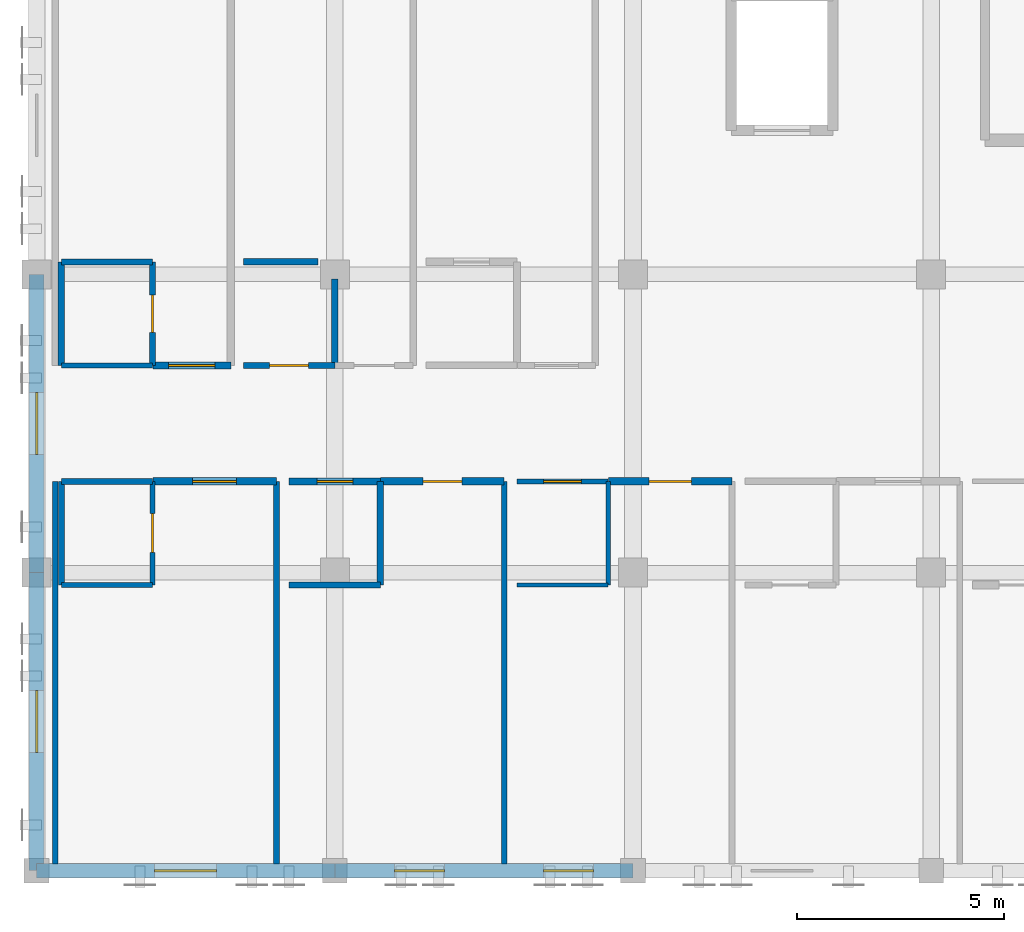
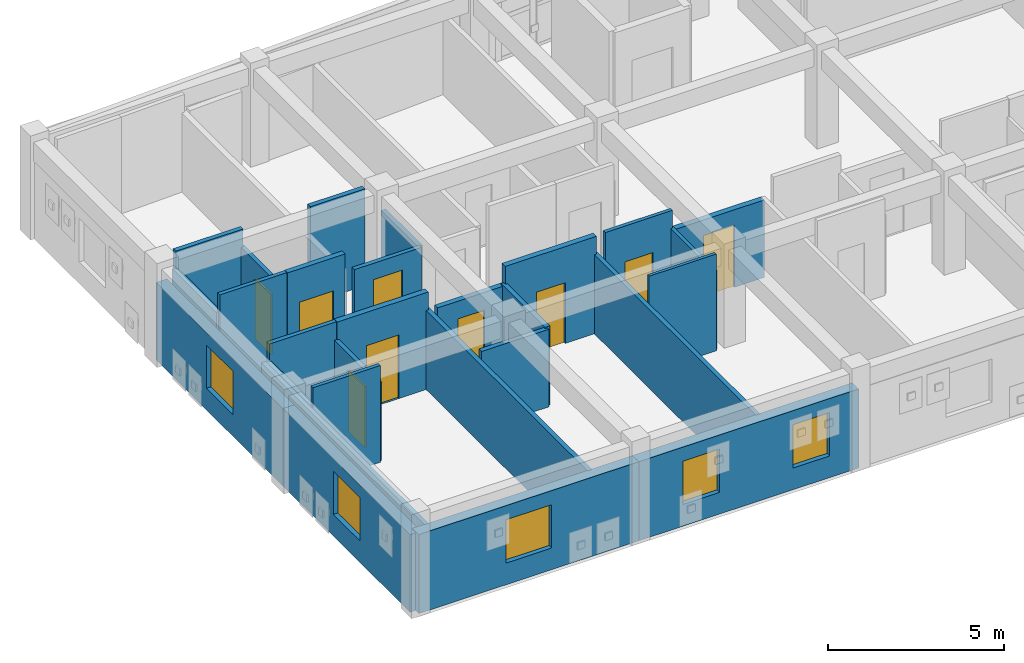
# One storey, part 35 of 48: 28 walls, 9 doors, 5 windows, 14 openings.
"""IFC4 building model written with IfcOpenShell, lengths in metres."""

from ifc_helpers import new_model, si_unit, direction, frame, frame_2d, origin, place, context, subcontext, project, spatial, rectangle, extrude, material, layer, layer_set, type_object, element, fill, save


model = new_model("IFC4")

# Units and contexts
model_context = context("Model", 3, precision=1e-05, world=origin(), true_north=direction((0.0, 1.0)))
body_context = subcontext(model_context, "Body", "Model", "MODEL_VIEW")
ifc_project = project(units=[si_unit("LENGTHUNIT", "METRE"), si_unit("AREAUNIT", "SQUARE_METRE"), si_unit("VOLUMEUNIT", "CUBIC_METRE"), si_unit("PLANEANGLEUNIT", "RADIAN"), si_unit("MASSUNIT", "GRAM", prefix="KILO")], contexts=[model_context])

# Site, building, storey
site_placement = place(None, origin())
site = spatial("IfcSite", under=ifc_project, at=site_placement, CompositionType="ELEMENT")
building_placement = place(site_placement, origin())
building = spatial("IfcBuilding", under=site, at=building_placement, Name="Carrowvane Square Congress Hotel", CompositionType="ELEMENT")
storey_placement = place(building_placement, frame((0.0, 0.0, 26.39990234375)))
storey = spatial("IfcBuildingStorey", under=building, at=storey_placement, Name="L06", CompositionType="ELEMENT", Elevation=26.39990234375)

# Wall, openings, windows
ifc_material_1 = material(Name="Glazed terracotta rainscreen", Category="masonry")
ifc_layer_1 = layer(ifc_material_1, 0.360107421875)
ifc_layer_set_1 = layer_set([ifc_layer_1], Name="Glazed terracotta rainscreen")
wall_type_1 = type_object("IfcWallType", Name="WL-EXT-TC360", PredefinedType="STANDARD", material=ifc_layer_set_1)
wall_1_placement = place(storey_placement, frame((47.60009765625, 91.800048828125, 0.0), z_axis=(0.0, 0.0, 1.0), x_axis=(-1.0, 0.0, 0.0)))
wall_1 = element("IfcWall", 1, at=wall_1_placement, inside=storey, type_object=wall_type_1, Name="L06 exterior facade wall 502", PredefinedType="STANDARD", context=body_context, shape_type="SweptSolid", body=[
    extrude(rectangle(XDim=7.2001953125, YDim=0.360107421875, at=frame_2d((3.60009765625, 0.0))), origin(), (0.0, 0.0, 1.0), 2.735107421875),
])
opening_1_placement = place(wall_1_placement, frame((0.955078125, 0.0, 0.75)))
opening_1 = element("IfcOpeningElement", 2, at=opening_1_placement, cuts=wall_1, Name="Opening W-01", PredefinedType="OPENING", context=body_context, shape_type="SweptSolid", body=[
    extrude(rectangle(XDim=1.199951171875, YDim=1.5, at=frame_2d((0.60009765625, 0.75))), frame((0.0, 0.18994140625, 0.0), z_axis=(0.0, -1.0, 0.0), x_axis=(1.0, 0.0, 0.0)), (0.0, 0.0, 1.0), 0.380126953125),
])
opening_2_placement = place(wall_1_placement, frame((4.554931640625, 0.0, 0.75)))
opening_2 = element("IfcOpeningElement", 3, at=opening_2_placement, cuts=wall_1, Name="Opening W-01", PredefinedType="OPENING", context=body_context, shape_type="SweptSolid", body=[
    extrude(rectangle(XDim=1.199951171875, YDim=1.5, at=frame_2d((0.60009765625, 0.75))), frame((0.0, 0.18994140625, 0.0), z_axis=(0.0, -1.0, 0.0), x_axis=(1.0, 0.0, 0.0)), (0.0, 0.0, 1.0), 0.380126953125),
])
ifc_material_2 = material(Name="Double-glazed low-E glass", Category="glass")
window_type_1 = type_object("IfcWindowType", Name="WIN-01", PartitioningType="SINGLE_PANEL", PredefinedType="WINDOW", material=ifc_material_2)
window_1_placement = place(opening_1_placement, origin())
window_1 = element("IfcWindow", 4, at=window_1_placement, inside=storey, type_object=window_type_1, Name="L06 facade window 338", OverallHeight=1.5, OverallWidth=1.199951171875, PartitioningType="SINGLE_PANEL", PredefinedType="WINDOW", context=body_context, shape_type="SweptSolid", body=[
    extrude(rectangle(XDim=1.199951171875, YDim=1.5, at=frame_2d((0.60009765625, 0.75))), frame((0.0, 0.030029296875, 0.0), z_axis=(0.0, -1.0, 0.0), x_axis=(1.0, 0.0, 0.0)), (0.0, 0.0, 1.0), 0.06005859375),
])
fill(opening_1, window_1)
window_2_placement = place(opening_2_placement, origin())
window_2 = element("IfcWindow", 5, at=window_2_placement, inside=storey, type_object=window_type_1, Name="L06 split-bay facade window WIN-L06-0338-1", OverallHeight=1.5, OverallWidth=1.199951171875, PartitioningType="SINGLE_PANEL", PredefinedType="WINDOW", context=body_context, shape_type="SweptSolid", body=[
    extrude(rectangle(XDim=1.199951171875, YDim=1.5, at=frame_2d((0.60009765625, 0.75))), frame((0.0, 0.030029296875, 0.0), z_axis=(0.0, -1.0, 0.0), x_axis=(1.0, 0.0, 0.0)), (0.0, 0.0, 1.0), 0.06005859375),
])
fill(opening_2, window_2)

# Wall, opening, window
wall_2_placement = place(storey_placement, frame((40.39990234375, 91.800048828125, 0.0), z_axis=(0.0, 0.0, 1.0), x_axis=(-1.0, 0.0, 0.0)))
wall_2 = element("IfcWall", 6, at=wall_2_placement, inside=storey, type_object=wall_type_1, Name="L06 exterior facade wall 503", PredefinedType="STANDARD", context=body_context, shape_type="SweptSolid", body=[
    extrude(rectangle(XDim=7.199951171875, YDim=0.360107421875, at=frame_2d((3.60009765625, 0.0))), origin(), (0.0, 0.0, 1.0), 2.735107421875),
])
opening_3_placement = place(wall_2_placement, frame((2.85009765625, 0.0, 0.75)))
opening_3 = element("IfcOpeningElement", 7, at=opening_3_placement, cuts=wall_2, Name="Opening W-15", PredefinedType="OPENING", context=body_context, shape_type="SweptSolid", body=[
    extrude(rectangle(XDim=1.5, YDim=1.5, at=frame_2d((0.75, 0.75))), frame((0.0, 0.18994140625, 0.0), z_axis=(0.0, -1.0, 0.0), x_axis=(1.0, 0.0, 0.0)), (0.0, 0.0, 1.0), 0.380126953125),
])
ifc_material_3 = material(Name="Double-glazed low-E glass", Category="glass")
window_type_2 = type_object("IfcWindowType", Name="WIN-15", PartitioningType="SINGLE_PANEL", PredefinedType="WINDOW", material=ifc_material_3)
window_3_placement = place(opening_3_placement, origin())
window_3 = element("IfcWindow", 8, at=window_3_placement, inside=storey, type_object=window_type_2, Name="L06 facade window 339", OverallHeight=1.5, OverallWidth=1.5, PartitioningType="SINGLE_PANEL", PredefinedType="WINDOW", context=body_context, shape_type="SweptSolid", body=[
    extrude(rectangle(XDim=1.5, YDim=1.5, at=frame_2d((0.75, 0.75))), frame((0.0, 0.030029296875, 0.0), z_axis=(0.0, -1.0, 0.0), x_axis=(1.0, 0.0, 0.0)), (0.0, 0.0, 1.0), 0.06005859375),
])
fill(opening_3, window_3)

wall_3_placement = place(storey_placement, frame((33.199951171875, 91.800048828125, 0.0), z_axis=(0.0, 0.0, 1.0), x_axis=(0.0, 1.0, 0.0)))
wall_3 = element("IfcWall", 9, at=wall_3_placement, inside=storey, type_object=wall_type_1, Name="L06 exterior facade wall 504", PredefinedType="STANDARD", context=body_context, shape_type="SweptSolid", body=[
    extrude(rectangle(XDim=7.199951171875, YDim=0.360107421875, at=frame_2d((3.60009765625, 0.0))), origin(), (0.0, 0.0, 1.0), 2.68505859375),
])
opening_4_placement = place(wall_3_placement, frame((2.85009765625, 0.0, 0.75)))
opening_4 = element("IfcOpeningElement", 10, at=opening_4_placement, cuts=wall_3, Name="Opening W-15", PredefinedType="OPENING", context=body_context, shape_type="SweptSolid", body=[
    extrude(rectangle(XDim=1.5, YDim=1.5, at=frame_2d((0.75, 0.75))), frame((0.0, 0.18994140625, 0.0), z_axis=(0.0, -1.0, 0.0), x_axis=(1.0, 0.0, 0.0)), (0.0, 0.0, 1.0), 0.380126953125),
])
window_4_placement = place(opening_4_placement, origin())
window_4 = element("IfcWindow", 11, at=window_4_placement, inside=storey, type_object=window_type_2, Name="L06 facade window 340", OverallHeight=1.5, OverallWidth=1.5, PartitioningType="SINGLE_PANEL", PredefinedType="WINDOW", context=body_context, shape_type="SweptSolid", body=[
    extrude(rectangle(XDim=1.5, YDim=1.5, at=frame_2d((0.75, 0.75))), frame((0.0, 0.030029296875, 0.0), z_axis=(0.0, -1.0, 0.0), x_axis=(1.0, 0.0, 0.0)), (0.0, 0.0, 1.0), 0.06005859375),
])
fill(opening_4, window_4)

wall_4_placement = place(storey_placement, frame((33.199951171875, 99.0, 0.0), z_axis=(0.0, 0.0, 1.0), x_axis=(0.0, 1.0, 0.0)))
wall_4 = element("IfcWall", 12, at=wall_4_placement, inside=storey, type_object=wall_type_1, Name="L06 exterior facade wall 505", PredefinedType="STANDARD", context=body_context, shape_type="SweptSolid", body=[
    extrude(rectangle(XDim=7.199951171875, YDim=0.360107421875, at=frame_2d((3.60009765625, 0.0))), origin(), (0.0, 0.0, 1.0), 2.68505859375),
])
opening_5_placement = place(wall_4_placement, frame((2.85009765625, 0.0, 0.75)))
opening_5 = element("IfcOpeningElement", 13, at=opening_5_placement, cuts=wall_4, Name="Opening W-15", PredefinedType="OPENING", context=body_context, shape_type="SweptSolid", body=[
    extrude(rectangle(XDim=1.5, YDim=1.5, at=frame_2d((0.75, 0.75))), frame((0.0, 0.18994140625, 0.0), z_axis=(0.0, -1.0, 0.0), x_axis=(1.0, 0.0, 0.0)), (0.0, 0.0, 1.0), 0.380126953125),
])
window_5_placement = place(opening_5_placement, origin())
window_5 = element("IfcWindow", 14, at=window_5_placement, inside=storey, type_object=window_type_2, Name="L06 facade window 341", OverallHeight=1.5, OverallWidth=1.5, PartitioningType="SINGLE_PANEL", PredefinedType="WINDOW", context=body_context, shape_type="SweptSolid", body=[
    extrude(rectangle(XDim=1.5, YDim=1.5, at=frame_2d((0.75, 0.75))), frame((0.0, 0.030029296875, 0.0), z_axis=(0.0, -1.0, 0.0), x_axis=(1.0, 0.0, 0.0)), (0.0, 0.0, 1.0), 0.06005859375),
])
fill(opening_5, window_5)

# Walls
ifc_material_4 = material(Name="Acoustic gypsum board", Category="gypsum")
ifc_layer_2 = layer(ifc_material_4, 0.155029296875)
ifc_layer_set_2 = layer_set([ifc_layer_2], Name="Acoustic gypsum board")
wall_type_2 = type_object("IfcWallType", Name="WL-FIR-155", PredefinedType="PARTITIONING", material=ifc_layer_set_2)
for number, where, z_axis, x_axis, name in (
    (15, (41.5, 101.199951171875, 0.0), (0.0, 0.0, 1.0), (0.0, -1.0, 0.0), "L06 En-suite Bathroom 0602 partition"),
    (16, (33.800048828125, 104.0, 0.0), (0.0, 0.0, 1.0), (0.0, 1.0, 0.0), "L06 En-suite Bathroom 0609 partition"),
):
    element("IfcWall", number, at=place(storey_placement, frame(where, z_axis=z_axis, x_axis=x_axis)), inside=storey, type_object=wall_type_2, Name=name, PredefinedType="PARTITIONING", context=body_context, shape_type="SweptSolid", body=[
        extrude(rectangle(XDim=2.5, YDim=0.155029296875, at=frame_2d((1.25, 0.0))), origin(), (0.0, 0.0, 1.0), 2.735107421875),
    ])
wall_5_placement = place(storey_placement, frame((38.199951171875, 106.5, 0.0), z_axis=(0.0, 0.0, 1.0), x_axis=(1.0, 0.0, 0.0)))
element("IfcWall", 17, at=wall_5_placement, inside=storey, type_object=wall_type_2, Name="L06 En-suite Bathroom 0610 partition", PredefinedType="PARTITIONING", context=body_context, shape_type="SweptSolid", body=[
    extrude(rectangle(XDim=1.7900390625, YDim=0.155029296875, at=frame_2d((0.89501953125, 0.0))), origin(), (0.0, 0.0, 1.0), 3.35009765625),
])

# Wall, opening, door
ifc_material_5 = material(Name="Acoustic gypsum board", Category="gypsum")
ifc_layer_3 = layer(ifc_material_5, 0.169921875)
ifc_layer_set_3 = layer_set([ifc_layer_3], Name="Acoustic gypsum board")
wall_type_3 = type_object("IfcWallType", Name="WL-FIR-170", PredefinedType="PARTITIONING", material=ifc_layer_set_3)
wall_6_placement = place(storey_placement, frame((39.300048828125, 101.199951171875, 0.0), z_axis=(0.0, 0.0, 1.0), x_axis=(1.0, 0.0, 0.0)))
wall_6 = element("IfcWall", 18, at=wall_6_placement, inside=storey, type_object=wall_type_3, Name="L06 En-suite Bathroom 0602 partition", PredefinedType="PARTITIONING", context=body_context, shape_type="SweptSolid", body=[
    extrude(rectangle(XDim=2.199951171875, YDim=0.169921875, at=frame_2d((1.10009765625, 0.0))), origin(), (0.0, 0.0, 1.0), 2.68505859375),
])
opening_6_placement = place(wall_6_placement, frame((0.6650390625, 0.0, 0.0)))
opening_6 = element("IfcOpeningElement", 19, at=opening_6_placement, cuts=wall_6, Name="Opening ID-15", PredefinedType="OPENING", context=body_context, shape_type="SweptSolid", body=[
    extrude(rectangle(XDim=0.8701171875, YDim=2.070068359375, at=frame_2d((0.43505859375, 1.03515625))), frame((0.0, 0.094970703125, 0.0), z_axis=(0.0, -1.0, 0.0), x_axis=(1.0, 0.0, 0.0)), (0.0, 0.0, 1.0), 0.18994140625),
])
ifc_material_6 = material(Name="European oak timber", Category="wood")
door_type_1 = type_object("IfcDoorType", Name="DR-INT-0870x2070", OperationType="NOTDEFINED", PredefinedType="DOOR", material=ifc_material_6)
door_1_placement = place(opening_6_placement, origin())
door_1 = element("IfcDoor", 20, at=door_1_placement, inside=storey, type_object=door_type_1, Name="L06 En-suite Bathroom 0602 door", OperationType="SINGLE_SWING_RIGHT", OverallHeight=2.070068359375, OverallWidth=0.8701171875, PredefinedType="DOOR", context=body_context, shape_type="SweptSolid", body=[
    extrude(rectangle(XDim=0.8701171875, YDim=2.070068359375, at=frame_2d((0.43505859375, 1.03515625))), frame((0.0, 0.02490234375, 0.0), z_axis=(0.0, -1.0, 0.0), x_axis=(1.0, 0.0, 0.0)), (0.0, 0.0, 1.0), 0.050048828125),
])
fill(opening_6, door_1)

wall_7_placement = place(storey_placement, frame((37.889892578125, 104.0, 0.0), z_axis=(0.0, 0.0, 1.0), x_axis=(-1.0, 0.0, 0.0)))
wall_7 = element("IfcWall", 21, at=wall_7_placement, inside=storey, type_object=wall_type_3, Name="L06 Parkview Guest Bedroom 0609 partition", PredefinedType="PARTITIONING", context=body_context, shape_type="SweptSolid", body=[
    extrude(rectangle(XDim=1.8798828125, YDim=0.169921875, at=frame_2d((0.93994140625, 0.0))), origin(), (0.0, 0.0, 1.0), 3.35009765625),
])
opening_7_placement = place(wall_7_placement, frame((0.3798828125, 0.0, 0.0)))
opening_7 = element("IfcOpeningElement", 22, at=opening_7_placement, cuts=wall_7, Name="Opening FD-10", PredefinedType="OPENING", context=body_context, shape_type="SweptSolid", body=[
    extrude(rectangle(XDim=1.1201171875, YDim=2.199951171875, at=frame_2d((0.56005859375, 1.10009765625))), frame((0.0, 0.094970703125, 0.0), z_axis=(0.0, -1.0, 0.0), x_axis=(1.0, 0.0, 0.0)), (0.0, 0.0, 1.0), 0.18994140625),
])
ifc_material_7 = material(Name="European oak timber", Category="wood")
door_type_2 = type_object("IfcDoorType", Name="DR-FD30-1120x2200", OperationType="NOTDEFINED", PredefinedType="DOOR", material=ifc_material_7)
door_2_placement = place(opening_7_placement, origin())
door_2 = element("IfcDoor", 23, at=door_2_placement, inside=storey, type_object=door_type_2, Name="L06 Parkview Guest Bedroom 0609 entrance door", OperationType="SINGLE_SWING_LEFT", OverallHeight=2.199951171875, OverallWidth=1.1201171875, PredefinedType="DOOR", context=body_context, shape_type="SweptSolid", body=[
    extrude(rectangle(XDim=1.1201171875, YDim=2.199951171875, at=frame_2d((0.56005859375, 1.10009765625))), frame((0.0, 0.02490234375, 0.0), z_axis=(0.0, -1.0, 0.0), x_axis=(1.0, 0.0, 0.0)), (0.0, 0.0, 1.0), 0.050048828125),
])
fill(opening_7, door_2)

ifc_material_8 = material(Name="Acoustic gypsum board", Category="gypsum")
ifc_layer_4 = layer(ifc_material_8, 0.18505859375)
ifc_layer_set_4 = layer_set([ifc_layer_4], Name="Acoustic gypsum board")
wall_type_4 = type_object("IfcWallType", Name="WL-FIR-185", PredefinedType="PARTITIONING", material=ifc_layer_set_4)
wall_8_placement = place(storey_placement, frame((36.010009765625, 101.199951171875, 0.0), z_axis=(0.0, 0.0, 1.0), x_axis=(1.0, 0.0, 0.0)))
wall_8 = element("IfcWall", 24, at=wall_8_placement, inside=storey, type_object=wall_type_4, Name="L06 Hotel Suite 0601 partition", PredefinedType="PARTITIONING", context=body_context, shape_type="SweptSolid", body=[
    extrude(rectangle(XDim=2.97998046875, YDim=0.18505859375, at=frame_2d((1.489990234375, 0.0))), origin(), (0.0, 0.0, 1.0), 3.35009765625),
])
opening_8_placement = place(wall_8_placement, frame((0.9599609375, 0.0, 0.0)))
opening_8 = element("IfcOpeningElement", 25, at=opening_8_placement, cuts=wall_8, Name="Opening FD-09", PredefinedType="OPENING", context=body_context, shape_type="SweptSolid", body=[
    extrude(rectangle(XDim=1.06005859375, YDim=2.199951171875, at=frame_2d((0.530029296875, 1.10009765625))), frame((0.0, 0.1025390625, 0.0), z_axis=(0.0, -1.0, 0.0), x_axis=(1.0, 0.0, 0.0)), (0.0, 0.0, 1.0), 0.205078125),
])
ifc_material_9 = material(Name="European oak timber", Category="wood")
door_type_3 = type_object("IfcDoorType", Name="DR-FD30-1060x2200", OperationType="NOTDEFINED", PredefinedType="DOOR", material=ifc_material_9)
door_3_placement = place(opening_8_placement, origin())
door_3 = element("IfcDoor", 26, at=door_3_placement, inside=storey, type_object=door_type_3, Name="L06 Hotel Suite 0601 entrance door", OperationType="SINGLE_SWING_LEFT", OverallHeight=2.199951171875, OverallWidth=1.06005859375, PredefinedType="DOOR", context=body_context, shape_type="SweptSolid", body=[
    extrude(rectangle(XDim=1.06005859375, YDim=2.199951171875, at=frame_2d((0.530029296875, 1.10009765625))), frame((0.0, 0.02490234375, 0.0), z_axis=(0.0, -1.0, 0.0), x_axis=(1.0, 0.0, 0.0)), (0.0, 0.0, 1.0), 0.050048828125),
])
fill(opening_8, door_3)

wall_9_placement = place(storey_placement, frame((41.510009765625, 101.199951171875, 0.0), z_axis=(0.0, 0.0, 1.0), x_axis=(1.0, 0.0, 0.0)))
wall_9 = element("IfcWall", 27, at=wall_9_placement, inside=storey, type_object=wall_type_4, Name="L06 Hotel Suite 0602 partition", PredefinedType="PARTITIONING", context=body_context, shape_type="SweptSolid", body=[
    extrude(rectangle(XDim=2.97998046875, YDim=0.18505859375, at=frame_2d((1.489990234375, 0.0))), origin(), (0.0, 0.0, 1.0), 3.35009765625),
])
opening_9_placement = place(wall_9_placement, frame((1.014892578125, 0.0, 0.0)))
opening_9 = element("IfcOpeningElement", 28, at=opening_9_placement, cuts=wall_9, Name="Opening FD-06", PredefinedType="OPENING", context=body_context, shape_type="SweptSolid", body=[
    extrude(rectangle(XDim=0.949951171875, YDim=2.10009765625, at=frame_2d((0.47509765625, 1.050048828125))), frame((0.0, 0.1025390625, 0.0), z_axis=(0.0, -1.0, 0.0), x_axis=(1.0, 0.0, 0.0)), (0.0, 0.0, 1.0), 0.205078125),
])
ifc_material_10 = material(Name="European oak timber", Category="wood")
door_type_4 = type_object("IfcDoorType", Name="DR-FD30-0950x2100", OperationType="NOTDEFINED", PredefinedType="DOOR", material=ifc_material_10)
door_4_placement = place(opening_9_placement, origin())
door_4 = element("IfcDoor", 29, at=door_4_placement, inside=storey, type_object=door_type_4, Name="L06 Hotel Suite 0602 entrance door", OperationType="SINGLE_SWING_LEFT", OverallHeight=2.10009765625, OverallWidth=0.949951171875, PredefinedType="DOOR", context=body_context, shape_type="SweptSolid", body=[
    extrude(rectangle(XDim=0.949951171875, YDim=2.10009765625, at=frame_2d((0.47509765625, 1.050048828125))), frame((0.0, 0.02490234375, 0.0), z_axis=(0.0, -1.0, 0.0), x_axis=(1.0, 0.0, 0.0)), (0.0, 0.0, 1.0), 0.050048828125),
])
fill(opening_9, door_4)

wall_10_placement = place(storey_placement, frame((47.010009765625, 101.199951171875, 0.0), z_axis=(0.0, 0.0, 1.0), x_axis=(1.0, 0.0, 0.0)))
wall_10 = element("IfcWall", 30, at=wall_10_placement, inside=storey, type_object=wall_type_4, Name="L06 Hotel Suite 0603 partition", PredefinedType="PARTITIONING", context=body_context, shape_type="SweptSolid", body=[
    extrude(rectangle(XDim=2.97998046875, YDim=0.18505859375, at=frame_2d((1.489990234375, 0.0))), origin(), (0.0, 0.0, 1.0), 2.68505859375),
])
opening_10_placement = place(wall_10_placement, frame((0.97998046875, 0.0, 0.0)))
opening_10 = element("IfcOpeningElement", 31, at=opening_10_placement, cuts=wall_10, Name="Opening FD-08", PredefinedType="OPENING", context=body_context, shape_type="SweptSolid", body=[
    extrude(rectangle(XDim=1.02001953125, YDim=2.14990234375, at=frame_2d((0.510009765625, 1.074951171875))), frame((0.0, 0.1025390625, 0.0), z_axis=(0.0, -1.0, 0.0), x_axis=(1.0, 0.0, 0.0)), (0.0, 0.0, 1.0), 0.205078125),
])
ifc_material_11 = material(Name="European oak timber", Category="wood")
door_type_5 = type_object("IfcDoorType", Name="DR-FD30-1020x2150", OperationType="NOTDEFINED", PredefinedType="DOOR", material=ifc_material_11)
door_5_placement = place(opening_10_placement, origin())
door_5 = element("IfcDoor", 32, at=door_5_placement, inside=storey, type_object=door_type_5, Name="L06 Hotel Suite 0603 entrance door", OperationType="SINGLE_SWING_LEFT", OverallHeight=2.14990234375, OverallWidth=1.02001953125, PredefinedType="DOOR", context=body_context, shape_type="SweptSolid", body=[
    extrude(rectangle(XDim=1.02001953125, YDim=2.14990234375, at=frame_2d((0.510009765625, 1.074951171875))), frame((0.0, 0.02490234375, 0.0), z_axis=(0.0, -1.0, 0.0), x_axis=(1.0, 0.0, 0.0)), (0.0, 0.0, 1.0), 0.050048828125),
])
fill(opening_10, door_5)

# Walls
ifc_material_12 = material(Name="Acoustic gypsum board", Category="gypsum")
ifc_layer_5 = layer(ifc_material_12, 0.097900390625)
ifc_layer_set_5 = layer_set([ifc_layer_5], Name="Acoustic gypsum board")
wall_type_5 = type_object("IfcWallType", Name="WL-PRT-098", PredefinedType="PARTITIONING", material=ifc_layer_set_5)
wall_11_placement = place(storey_placement, frame((47.0, 98.699951171875, 0.0), z_axis=(0.0, 0.0, 1.0), x_axis=(-1.0, 0.0, 0.0)))
element("IfcWall", 33, at=wall_11_placement, inside=storey, type_object=wall_type_5, Name="L06 En-suite Bathroom 0603 partition", PredefinedType="PARTITIONING", context=body_context, shape_type="SweptSolid", body=[
    extrude(rectangle(XDim=2.199951171875, YDim=0.097900390625, at=frame_2d((1.10009765625, 0.0))), origin(), (0.0, 0.0, 1.0), 3.35009765625),
])
ifc_material_13 = material(Name="Acoustic gypsum board", Category="gypsum")
ifc_layer_6 = layer(ifc_material_13, 0.10791015625)
ifc_layer_set_6 = layer_set([ifc_layer_6], Name="Acoustic gypsum board")
wall_type_6 = type_object("IfcWallType", Name="WL-PRT-108", PredefinedType="PARTITIONING", material=ifc_layer_set_6)
wall_12_placement = place(storey_placement, frame((47.0, 101.199951171875, 0.0), z_axis=(0.0, 0.0, 1.0), x_axis=(0.0, -1.0, 0.0)))
element("IfcWall", 34, at=wall_12_placement, inside=storey, type_object=wall_type_6, Name="L06 En-suite Bathroom 0603 partition", PredefinedType="PARTITIONING", context=body_context, shape_type="SweptSolid", body=[
    extrude(rectangle(XDim=2.5, YDim=0.10791015625, at=frame_2d((1.25, 0.0))), origin(), (0.0, 0.0, 1.0), 2.735107421875),
])
ifc_material_14 = material(Name="Acoustic gypsum board", Category="gypsum")
ifc_layer_7 = layer(ifc_material_14, 0.117919921875)
ifc_layer_set_7 = layer_set([ifc_layer_7], Name="Acoustic gypsum board")
wall_type_7 = type_object("IfcWallType", Name="WL-PRT-118", PredefinedType="PARTITIONING", material=ifc_layer_set_7)
wall_13_placement = place(storey_placement, frame((36.0, 98.699951171875, 0.0), z_axis=(0.0, 0.0, 1.0), x_axis=(-1.0, 0.0, 0.0)))
element("IfcWall", 35, at=wall_13_placement, inside=storey, type_object=wall_type_7, Name="L06 En-suite Bathroom 0601 partition", PredefinedType="PARTITIONING", context=body_context, shape_type="SweptSolid", body=[
    extrude(rectangle(XDim=2.199951171875, YDim=0.117919921875, at=frame_2d((1.10009765625, 0.0))), origin(), (0.0, 0.0, 1.0), 3.35009765625),
])

# Wall, opening, door
wall_14_placement = place(storey_placement, frame((44.800048828125, 101.199951171875, 0.0), z_axis=(0.0, 0.0, 1.0), x_axis=(1.0, 0.0, 0.0)))
wall_14 = element("IfcWall", 36, at=wall_14_placement, inside=storey, type_object=wall_type_7, Name="L06 En-suite Bathroom 0603 partition", PredefinedType="PARTITIONING", context=body_context, shape_type="SweptSolid", body=[
    extrude(rectangle(XDim=2.199951171875, YDim=0.117919921875, at=frame_2d((1.10009765625, 0.0))), origin(), (0.0, 0.0, 1.0), 3.35009765625),
])
opening_11_placement = place(wall_14_placement, frame((0.64501953125, 0.0, 0.0)))
opening_11 = element("IfcOpeningElement", 37, at=opening_11_placement, cuts=wall_14, Name="Opening ID-17", PredefinedType="OPENING", context=body_context, shape_type="SweptSolid", body=[
    extrude(rectangle(XDim=0.909912109375, YDim=2.110107421875, at=frame_2d((0.455078125, 1.05517578125))), frame((0.0, 0.06884765625, 0.0), z_axis=(0.0, -1.0, 0.0), x_axis=(1.0, 0.0, 0.0)), (0.0, 0.0, 1.0), 0.137939453125),
])
ifc_material_15 = material(Name="European oak timber", Category="wood")
door_type_6 = type_object("IfcDoorType", Name="DR-INT-0910x2110", OperationType="NOTDEFINED", PredefinedType="DOOR", material=ifc_material_15)
door_6_placement = place(opening_11_placement, origin())
door_6 = element("IfcDoor", 38, at=door_6_placement, inside=storey, type_object=door_type_6, Name="L06 En-suite Bathroom 0603 door", OperationType="SINGLE_SWING_RIGHT", OverallHeight=2.110107421875, OverallWidth=0.909912109375, PredefinedType="DOOR", context=body_context, shape_type="SweptSolid", body=[
    extrude(rectangle(XDim=0.909912109375, YDim=2.110107421875, at=frame_2d((0.455078125, 1.05517578125))), frame((0.0, 0.02490234375, 0.0), z_axis=(0.0, -1.0, 0.0), x_axis=(1.0, 0.0, 0.0)), (0.0, 0.0, 1.0), 0.050048828125),
])
fill(opening_11, door_6)

ifc_material_16 = material(Name="Acoustic gypsum board", Category="gypsum")
ifc_layer_8 = layer(ifc_material_16, 0.1279296875)
ifc_layer_set_8 = layer_set([ifc_layer_8], Name="Acoustic gypsum board")
wall_type_8 = type_object("IfcWallType", Name="WL-PRT-128", PredefinedType="PARTITIONING", material=ifc_layer_set_8)
wall_15_placement = place(storey_placement, frame((36.0, 101.199951171875, 0.0), z_axis=(0.0, 0.0, 1.0), x_axis=(0.0, -1.0, 0.0)))
wall_15 = element("IfcWall", 39, at=wall_15_placement, inside=storey, type_object=wall_type_8, Name="L06 En-suite Bathroom 0601 partition", PredefinedType="PARTITIONING", context=body_context, shape_type="SweptSolid", body=[
    extrude(rectangle(XDim=2.5, YDim=0.1279296875, at=frame_2d((1.25, 0.0))), origin(), (0.0, 0.0, 1.0), 2.735107421875),
])
opening_12_placement = place(wall_15_placement, frame((0.780029296875, 0.0, 0.0)))
opening_12 = element("IfcOpeningElement", 40, at=opening_12_placement, cuts=wall_15, Name="Opening ID-04", PredefinedType="OPENING", context=body_context, shape_type="SweptSolid", body=[
    extrude(rectangle(XDim=0.93994140625, YDim=2.1201171875, at=frame_2d((0.469970703125, 1.06005859375))), frame((0.0, 0.073974609375, 0.0), z_axis=(0.0, -1.0, 0.0), x_axis=(1.0, 0.0, 0.0)), (0.0, 0.0, 1.0), 0.14794921875),
])
ifc_material_17 = material(Name="European oak timber", Category="wood")
door_type_7 = type_object("IfcDoorType", Name="DR-INT-0940x2120", OperationType="NOTDEFINED", PredefinedType="DOOR", material=ifc_material_17)
door_7_placement = place(opening_12_placement, origin())
door_7 = element("IfcDoor", 41, at=door_7_placement, inside=storey, type_object=door_type_7, Name="L06 En-suite Bathroom 0601 door", OperationType="SINGLE_SWING_RIGHT", OverallHeight=2.1201171875, OverallWidth=0.93994140625, PredefinedType="DOOR", context=body_context, shape_type="SweptSolid", body=[
    extrude(rectangle(XDim=0.93994140625, YDim=2.1201171875, at=frame_2d((0.469970703125, 1.06005859375))), frame((0.0, 0.02490234375, 0.0), z_axis=(0.0, -1.0, 0.0), x_axis=(1.0, 0.0, 0.0)), (0.0, 0.0, 1.0), 0.050048828125),
])
fill(opening_12, door_7)

# Walls
wall_16_placement = place(storey_placement, frame((36.0, 104.0, 0.0), z_axis=(0.0, 0.0, 1.0), x_axis=(-1.0, 0.0, 0.0)))
element("IfcWall", 42, at=wall_16_placement, inside=storey, type_object=wall_type_8, Name="L06 En-suite Bathroom 0609 partition", PredefinedType="PARTITIONING", context=body_context, shape_type="SweptSolid", body=[
    extrude(rectangle(XDim=2.199951171875, YDim=0.1279296875, at=frame_2d((1.10009765625, 0.0))), origin(), (0.0, 0.0, 1.0), 3.35009765625),
])
ifc_material_18 = material(Name="Acoustic gypsum board", Category="gypsum")
ifc_layer_9 = layer(ifc_material_18, 0.137939453125)
ifc_layer_set_9 = layer_set([ifc_layer_9], Name="Acoustic gypsum board")
wall_type_9 = type_object("IfcWallType", Name="WL-PRT-138", PredefinedType="PARTITIONING", material=ifc_layer_set_9)
wall_17_placement = place(storey_placement, frame((33.800048828125, 101.199951171875, 0.0), z_axis=(0.0, 0.0, 1.0), x_axis=(1.0, 0.0, 0.0)))
element("IfcWall", 43, at=wall_17_placement, inside=storey, type_object=wall_type_9, Name="L06 En-suite Bathroom 0601 partition", PredefinedType="PARTITIONING", context=body_context, shape_type="SweptSolid", body=[
    extrude(rectangle(XDim=2.199951171875, YDim=0.137939453125, at=frame_2d((1.10009765625, 0.0))), origin(), (0.0, 0.0, 1.0), 3.35009765625),
])
for number, where, z_axis, x_axis, name in (
    (44, (33.64990234375, 91.9599609375, 0.0), (0.0, 0.0, 1.0), (0.0, 1.0, 0.0), "L06 Hotel Suite 0601 partition"),
    (45, (44.489990234375, 101.199951171875, 0.0), (0.0, 0.0, 1.0), (0.0, -1.0, 0.0), "L06 Hotel Suite 0602 partition"),
):
    element("IfcWall", number, at=place(storey_placement, frame(where, z_axis=z_axis, x_axis=x_axis)), inside=storey, type_object=wall_type_9, Name=name, PredefinedType="PARTITIONING", context=body_context, shape_type="SweptSolid", body=[
        extrude(rectangle(XDim=9.239990234375, YDim=0.137939453125, at=frame_2d((4.6201171875, 0.0))), origin(), (0.0, 0.0, 1.0), 2.735107421875),
    ])

# Wall, opening, door
wall_18_placement = place(storey_placement, frame((36.0, 106.5, 0.0), z_axis=(0.0, 0.0, 1.0), x_axis=(0.0, -1.0, 0.0)))
wall_18 = element("IfcWall", 46, at=wall_18_placement, inside=storey, type_object=wall_type_9, Name="L06 En-suite Bathroom 0609 partition", PredefinedType="PARTITIONING", context=body_context, shape_type="SweptSolid", body=[
    extrude(rectangle(XDim=2.5, YDim=0.137939453125, at=frame_2d((1.25, 0.0))), origin(), (0.0, 0.0, 1.0), 2.735107421875),
])
opening_13_placement = place(wall_18_placement, frame((0.800048828125, 0.0, 0.0)))
opening_13 = element("IfcOpeningElement", 47, at=opening_13_placement, cuts=wall_18, Name="Opening ID-02", PredefinedType="OPENING", context=body_context, shape_type="SweptSolid", body=[
    extrude(rectangle(XDim=0.89990234375, YDim=2.080078125, at=frame_2d((0.449951171875, 1.0400390625))), frame((0.0, 0.078857421875, 0.0), z_axis=(0.0, -1.0, 0.0), x_axis=(1.0, 0.0, 0.0)), (0.0, 0.0, 1.0), 0.157958984375),
])
ifc_material_19 = material(Name="European oak timber", Category="wood")
door_type_8 = type_object("IfcDoorType", Name="DR-INT-0900x2080", OperationType="NOTDEFINED", PredefinedType="DOOR", material=ifc_material_19)
door_8_placement = place(opening_13_placement, origin())
door_8 = element("IfcDoor", 48, at=door_8_placement, inside=storey, type_object=door_type_8, Name="L06 En-suite Bathroom 0609 door", OperationType="SINGLE_SWING_RIGHT", OverallHeight=2.080078125, OverallWidth=0.89990234375, PredefinedType="DOOR", context=body_context, shape_type="SweptSolid", body=[
    extrude(rectangle(XDim=0.89990234375, YDim=2.080078125, at=frame_2d((0.449951171875, 1.0400390625))), frame((0.0, 0.02490234375, 0.0), z_axis=(0.0, -1.0, 0.0), x_axis=(1.0, 0.0, 0.0)), (0.0, 0.0, 1.0), 0.050048828125),
])
fill(opening_13, door_8)

wall_19_placement = place(storey_placement, frame((40.39990234375, 104.0, 0.0), z_axis=(0.0, 0.0, 1.0), x_axis=(-1.0, 0.0, 0.0)))
wall_19 = element("IfcWall", 49, at=wall_19_placement, inside=storey, type_object=wall_type_9, Name="L06 En-suite Bathroom 0610 partition", PredefinedType="PARTITIONING", context=body_context, shape_type="SweptSolid", body=[
    extrude(rectangle(XDim=2.199951171875, YDim=0.137939453125, at=frame_2d((1.10009765625, 0.0))), origin(), (0.0, 0.0, 1.0), 2.68505859375),
])
opening_14_placement = place(wall_19_placement, frame((0.6298828125, 0.0, 0.0)))
opening_14 = element("IfcOpeningElement", 50, at=opening_14_placement, cuts=wall_19, Name="Opening ID-04", PredefinedType="OPENING", context=body_context, shape_type="SweptSolid", body=[
    extrude(rectangle(XDim=0.93994140625, YDim=2.1201171875, at=frame_2d((0.469970703125, 1.06005859375))), frame((0.0, 0.078857421875, 0.0), z_axis=(0.0, -1.0, 0.0), x_axis=(1.0, 0.0, 0.0)), (0.0, 0.0, 1.0), 0.157958984375),
])
door_9_placement = place(opening_14_placement, origin())
door_9 = element("IfcDoor", 51, at=door_9_placement, inside=storey, type_object=door_type_7, Name="L06 En-suite Bathroom 0610 door", OperationType="SINGLE_SWING_RIGHT", OverallHeight=2.1201171875, OverallWidth=0.93994140625, PredefinedType="DOOR", context=body_context, shape_type="SweptSolid", body=[
    extrude(rectangle(XDim=0.93994140625, YDim=2.1201171875, at=frame_2d((0.469970703125, 1.06005859375))), frame((0.0, 0.02490234375, 0.0), z_axis=(0.0, -1.0, 0.0), x_axis=(1.0, 0.0, 0.0)), (0.0, 0.0, 1.0), 0.050048828125),
])
fill(opening_14, door_9)

# Walls
ifc_material_20 = material(Name="Acoustic gypsum board", Category="gypsum")
ifc_layer_10 = layer(ifc_material_20, 0.14794921875)
ifc_layer_set_10 = layer_set([ifc_layer_10], Name="Acoustic gypsum board")
wall_type_10 = type_object("IfcWallType", Name="WL-PRT-148", PredefinedType="PARTITIONING", material=ifc_layer_set_10)
wall_20_placement = place(storey_placement, frame((33.800048828125, 98.699951171875, 0.0), z_axis=(0.0, 0.0, 1.0), x_axis=(0.0, 1.0, 0.0)))
element("IfcWall", 52, at=wall_20_placement, inside=storey, type_object=wall_type_10, Name="L06 En-suite Bathroom 0601 partition", PredefinedType="PARTITIONING", context=body_context, shape_type="SweptSolid", body=[
    extrude(rectangle(XDim=2.5, YDim=0.14794921875, at=frame_2d((1.25, 0.0))), origin(), (0.0, 0.0, 1.0), 2.735107421875),
])
wall_21_placement = place(storey_placement, frame((38.989990234375, 101.199951171875, 0.0), z_axis=(0.0, 0.0, 1.0), x_axis=(0.0, -1.0, 0.0)))
element("IfcWall", 53, at=wall_21_placement, inside=storey, type_object=wall_type_10, Name="L06 Hotel Suite 0601 partition", PredefinedType="PARTITIONING", context=body_context, shape_type="SweptSolid", body=[
    extrude(rectangle(XDim=9.239990234375, YDim=0.14794921875, at=frame_2d((4.6201171875, 0.0))), origin(), (0.0, 0.0, 1.0), 2.735107421875),
])
wall_22_placement = place(storey_placement, frame((41.5, 98.699951171875, 0.0), z_axis=(0.0, 0.0, 1.0), x_axis=(-1.0, 0.0, 0.0)))
element("IfcWall", 54, at=wall_22_placement, inside=storey, type_object=wall_type_10, Name="L06 En-suite Bathroom 0602 partition", PredefinedType="PARTITIONING", context=body_context, shape_type="SweptSolid", body=[
    extrude(rectangle(XDim=2.199951171875, YDim=0.14794921875, at=frame_2d((1.10009765625, 0.0))), origin(), (0.0, 0.0, 1.0), 2.68505859375),
])
wall_23_placement = place(storey_placement, frame((33.800048828125, 106.5, 0.0), z_axis=(0.0, 0.0, 1.0), x_axis=(1.0, 0.0, 0.0)))
element("IfcWall", 55, at=wall_23_placement, inside=storey, type_object=wall_type_10, Name="L06 En-suite Bathroom 0609 partition", PredefinedType="PARTITIONING", context=body_context, shape_type="SweptSolid", body=[
    extrude(rectangle(XDim=2.199951171875, YDim=0.14794921875, at=frame_2d((1.10009765625, 0.0))), origin(), (0.0, 0.0, 1.0), 3.35009765625),
])
wall_24_placement = place(storey_placement, frame((40.39990234375, 106.090087890625, 0.0), z_axis=(0.0, 0.0, 1.0), x_axis=(0.0, -1.0, 0.0)))
element("IfcWall", 56, at=wall_24_placement, inside=storey, type_object=wall_type_10, Name="L06 En-suite Bathroom 0610 partition", PredefinedType="PARTITIONING", context=body_context, shape_type="SweptSolid", body=[
    extrude(rectangle(XDim=2.090087890625, YDim=0.14794921875, at=frame_2d((1.044921875, 0.0))), origin(), (0.0, 0.0, 1.0), 2.68505859375),
])

save(model, "model.ifc")
